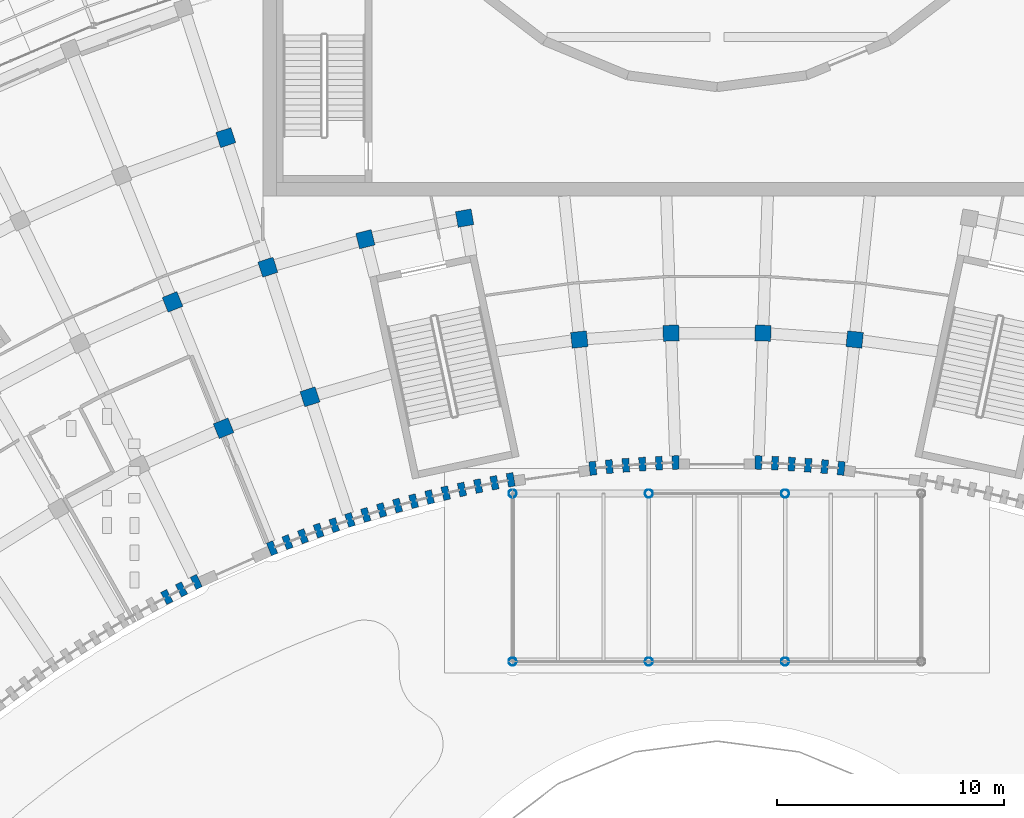
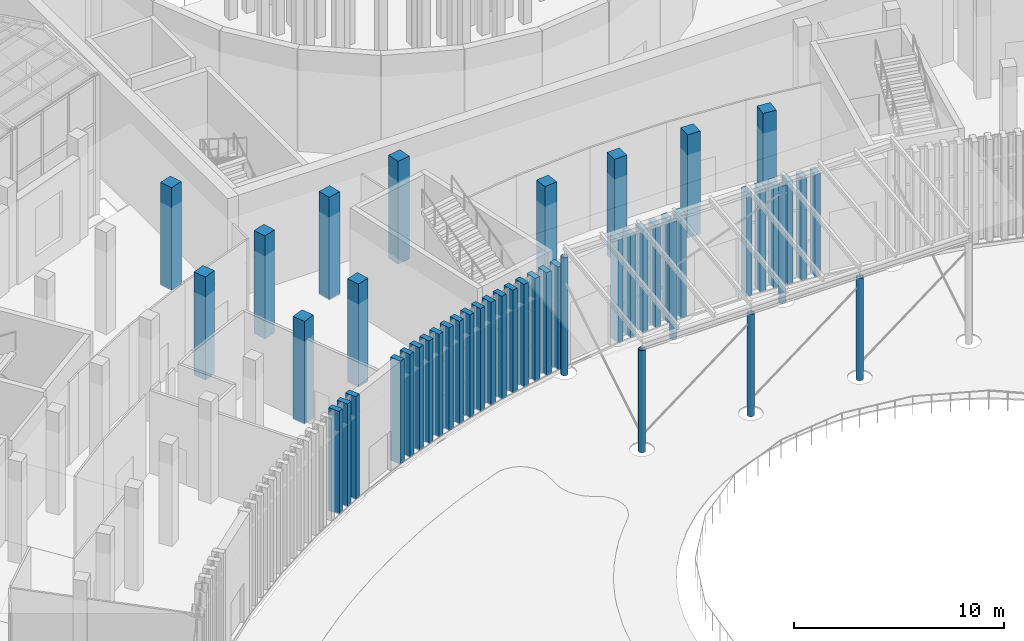
# One storey, part 4 of 155: 48 columns.
"""IFC4 building model written with IfcOpenShell, lengths in metres."""

from ifc_helpers import new_model, si_unit, direction, frame, origin, origin_2d, place, context, subcontext, project, spatial, rectangle, hollow_circle, extrude, material, material_profile, profile_set, type_object, element, save


model = new_model("IFC4")

# Units and contexts
model_context = context("Model", 3, precision=1e-05, world=origin(), true_north=direction((0.0, 1.0)))
body_context = subcontext(model_context, "Body", "Model", "MODEL_VIEW")
ifc_project = project(units=[si_unit("LENGTHUNIT", "METRE"), si_unit("AREAUNIT", "SQUARE_METRE"), si_unit("VOLUMEUNIT", "CUBIC_METRE"), si_unit("PLANEANGLEUNIT", "RADIAN"), si_unit("MASSUNIT", "GRAM", prefix="KILO")], contexts=[model_context])

# Site, building, storey
site_placement = place(None, origin())
site = spatial("IfcSite", under=ifc_project, at=site_placement, CompositionType="ELEMENT")
building_placement = place(site_placement, origin())
building = spatial("IfcBuilding", under=site, at=building_placement, Name="Lunette Opera House", CompositionType="ELEMENT")
storey_placement = place(building_placement, origin())
storey = spatial("IfcBuildingStorey", under=building, at=storey_placement, Name="L00", CompositionType="ELEMENT", Elevation=0.0)

# Columns
ifc_material_1 = material(Name="Concrete C40/50", Category="concrete")
ifc_material_profile_1 = material_profile(ifc_material_1, rectangle(XDim=0.300048828125, YDim=0.60009765625, at=origin_2d()), Name="PIER 300X600")
ifc_profile_set_1 = profile_set([ifc_material_profile_1], Name="Concrete C40/50")
column_type_1 = type_object("IfcColumnType", Name="PIER 300X600", PredefinedType="COLUMN", material=ifc_profile_set_1)
for number, where, z_axis, x_axis, name in (
    (1, (71.77001953125, 46.347900390625, 0.0), (0.0, 0.0, 1.0), (0.886203579231, 0.46329603512, 0.0), "col-FC-L00-P020"),
    (2, (72.4189453125, 46.681884765625, 0.0), (0.0, 0.0, 1.0), (0.892585818452, 0.450877540689, 0.0), "col-FC-L00-P021"),
    (3, (73.072998046875, 47.007080078125, 0.0), (0.0, 0.0, 1.0), (0.898794046299, 0.438371146789, 0.0), "col-FC-L00-P022"),
    (4, (76.407958984375, 48.491943359375, 0.0), (0.0, 0.0, 1.0), (0.927183854567, 0.374606593416, 0.0), "col-FC-L00-P023"),
    (5, (77.0869140625, 48.760986328125, 0.0), (0.0, 0.0, 1.0), (0.932323801216, 0.361624570082, 0.0), "col-FC-L00-P024"),
    (6, (77.77001953125, 49.02001953125, 0.0), (0.0, 0.0, 1.0), (0.937281989492, 0.348572047322, 0.0), "col-FC-L00-P025"),
    (7, (78.4560546875, 49.27001953125, 0.0), (0.0, 0.0, 1.0), (0.942057452787, 0.33545156975, 0.0), "col-FC-L00-P026"),
    (8, (79.14599609375, 49.510009765625, 0.0), (0.0, 0.0, 1.0), (0.946649260116, 0.322265695231, 0.0), "col-FC-L00-P027"),
    (9, (79.837890625, 49.739990234375, 0.0), (0.0, 0.0, 1.0), (0.951056516295, 0.309016994375, 0.0), "col-FC-L00-P028"),
    (10, (80.533935546875, 49.9609375, 0.0), (0.0, 0.0, 1.0), (0.955278362122, 0.295708050044, 0.0), "col-FC-L00-P029"),
    (11, (81.23388671875, 50.172119140625, 0.0), (0.0, 0.0, 1.0), (0.95931397454, 0.282341456843, 0.0), "col-FC-L00-P030"),
    (12, (81.93505859375, 50.373046875, 0.0), (0.0, 0.0, 1.0), (0.963162566798, 0.268919820615, 0.0), "col-FC-L00-P031"),
    (13, (82.639892578125, 50.56494140625, 0.0), (0.0, 0.0, 1.0), (0.966823388604, 0.255445757936, 0.0), "col-FC-L00-P032"),
    (14, (83.346923828125, 50.74609375, 0.0), (0.0, 0.0, 1.0), (0.970295726276, 0.2419218956, 0.0), "col-FC-L00-P033"),
    (15, (84.056884765625, 50.91796875, 0.0), (0.0, 0.0, 1.0), (0.973578902873, 0.228350870111, 0.0), "col-FC-L00-P034"),
    (16, (84.76904296875, 51.080078125, 0.0), (0.0, 0.0, 1.0), (0.976672278334, 0.214735327167, 0.0), "col-FC-L00-P035"),
    (17, (85.48388671875, 51.23193359375, 0.0), (0.0, 0.0, 1.0), (0.979575249599, 0.201077921146, 0.0), "col-FC-L00-P036"),
    (18, (86.199951171875, 51.3740234375, 0.0), (0.0, 0.0, 1.0), (0.982287250729, 0.187381314586, 0.0), "col-FC-L00-P037"),
    (19, (86.91796875, 51.5048828125, 0.0), (0.0, 0.0, 1.0), (0.984807753012, 0.173648177667, 0.0), "col-FC-L00-P038"),
    (20, (90.532958984375, 52.012939453125, 0.0), (0.0, 0.0, 1.0), (0.994521895368, 0.104528463268, 0.0), "col-FC-L00-P039"),
    (21, (91.260009765625, 52.0849609375, 0.0), (0.0, 0.0, 1.0), (0.995884398616, 0.090632580198, 0.0), "col-FC-L00-P040"),
    (22, (91.988037109375, 52.14599609375, 0.0), (0.0, 0.0, 1.0), (0.997052752227, 0.076719028127, 0.0), "col-FC-L00-P041"),
    (23, (92.716064453125, 52.197021484375, 0.0), (0.0, 0.0, 1.0), (0.998026728428, 0.062790519529, 0.0), "col-FC-L00-P042"),
    (24, (93.445068359375, 52.238037109375, 0.0), (0.0, 0.0, 1.0), (0.998806137341, 0.048849769796, 0.0), "col-FC-L00-P043"),
    (25, (94.175048828125, 52.26806640625, 0.0), (0.0, 0.0, 1.0), (0.999390827019, 0.034899496703, 0.0), "col-FC-L00-P044"),
    (26, (97.824951171875, 52.26806640625, 0.0), (0.0, 0.0, 1.0), (0.999390827019, -0.034899496703, 0.0), "col-FC-L00-P045"),
    (27, (98.554931640625, 52.238037109375, 0.0), (0.0, 0.0, 1.0), (0.998806137341, -0.048849769796, 0.0), "col-FC-L00-P046"),
    (28, (99.283935546875, 52.197021484375, 0.0), (0.0, 0.0, 1.0), (0.998026728428, -0.062790519529, 0.0), "col-FC-L00-P047"),
    (29, (100.011962890625, 52.14599609375, 0.0), (0.0, 0.0, 1.0), (0.997052752227, -0.076719028127, 0.0), "col-FC-L00-P048"),
    (30, (100.739990234375, 52.0849609375, 0.0), (0.0, 0.0, 1.0), (0.995884398616, -0.090632580198, 0.0), "col-FC-L00-P049"),
    (31, (101.467041015625, 52.012939453125, 0.0), (0.0, 0.0, 1.0), (0.994521895368, -0.104528463268, 0.0), "col-FC-L00-P050"),
):
    element("IfcColumn", number, at=place(storey_placement, frame(where, z_axis=z_axis, x_axis=x_axis)), inside=storey, type_object=column_type_1, Name=name, PredefinedType="COLUMN", context=body_context, shape_type="SweptSolid", body=[
        extrude(rectangle(XDim=0.300048828125, YDim=0.60009765625, at=origin_2d()), origin(), (0.0, 0.0, 1.0), 6.0),
    ])
ifc_material_2 = material(Name="Concrete C35/45", Category="concrete")
ifc_material_profile_2 = material_profile(ifc_material_2, rectangle(XDim=0.699951171875, YDim=0.699951171875, at=origin_2d()), Name="RC COLUMN 700X700")
ifc_profile_set_2 = profile_set([ifc_material_profile_2], Name="Concrete C35/45")
column_type_2 = type_object("IfcColumnType", Name="RC COLUMN 700X700", PredefinedType="COLUMN", material=ifc_profile_set_2)
for number, where, z_axis, x_axis, name in (
    (32, (74.27294921875, 53.777099609375, 0.0), (0.0, 0.0, 1.0), (0.927183854567, 0.374606593416, 0.0), "col-FC-L00-AR-M1-RL-08"),
    (33, (78.076904296875, 55.160888671875, 0.0), (0.0, 0.0, 1.0), (0.951056516295, 0.309016994375, 0.0), "col-FC-L00-AR-M1-RL-09"),
    (34, (89.93701171875, 57.681884765625, 0.0), (0.0, 0.0, 1.0), (0.994521895368, 0.104528463268, 0.0), "col-FC-L00-AR-M1-RL-12"),
    (35, (93.97607421875, 57.965087890625, 0.0), (0.0, 0.0, 1.0), (0.999390827019, 0.034899496703, 0.0), "col-FC-L00-AR-M1-RL-13"),
    (36, (98.02392578125, 57.965087890625, 0.0), (0.0, 0.0, 1.0), (0.999390827019, -0.034899496703, 0.0), "col-FC-L00-AR-M1-RL-14"),
    (37, (102.06298828125, 57.681884765625, 0.0), (0.0, 0.0, 1.0), (0.994521895368, -0.104528463268, 0.0), "col-FC-L00-AR-M1-RL-15"),
    (38, (72.02490234375, 59.340087890625, 0.0), (0.0, 0.0, 1.0), (0.927183854567, 0.374606593416, 0.0), "col-FC-L00-AR-B-RL-08"),
    (39, (76.222900390625, 60.867919921875, 0.0), (0.0, 0.0, 1.0), (0.951056516295, 0.309016994375, 0.0), "col-FC-L00-AR-B-RL-09"),
    (40, (80.51708984375, 62.09912109375, 0.0), (0.0, 0.0, 1.0), (0.970295726276, 0.2419218956, 0.0), "col-FC-L00-AR-B-RL-10"),
    (41, (84.886962890625, 63.028076171875, 0.0), (0.0, 0.0, 1.0), (0.984807753012, 0.173648177667, 0.0), "col-FC-L00-AR-B-RL-11"),
    (42, (74.368896484375, 66.573974609375, 0.0), (0.0, 0.0, 1.0), (0.951056516295, 0.309016994375, 0.0), "col-FC-L00-AR-M2-RL-09"),
):
    element("IfcColumn", number, at=place(storey_placement, frame(where, z_axis=z_axis, x_axis=x_axis)), inside=storey, type_object=column_type_2, Name=name, PredefinedType="COLUMN", context=body_context, shape_type="SweptSolid", body=[
        extrude(rectangle(XDim=0.699951171875, YDim=0.699951171875, at=origin_2d()), origin(), (0.0, 0.0, 1.0), 6.0),
    ])
ifc_material_3 = material(Name="Steel S355", Category="steel")
ifc_material_profile_3 = material_profile(ifc_material_3, hollow_circle(Radius=0.177734375, WallThickness=0.012451171875, at=origin_2d()), Name="CHS 355.6X12.5")
ifc_profile_set_3 = profile_set([ifc_material_profile_3], Name="Steel S355")
column_type_3 = type_object("IfcColumnType", Name="STEEL COLUMN CHS 355.6X12.5", PredefinedType="COLUMN", material=ifc_profile_set_3)
for number, where, z_axis, x_axis, name in (
    (43, (87.0, 43.5, -0.10009765625), (0.0, 0.0, 1.0), (1.0, 0.0, 0.0), "col-EC-L00-C1"),
    (44, (93.0, 43.5, -0.10009765625), (0.0, 0.0, 1.0), (1.0, 0.0, 0.0), "col-EC-L00-C2"),
    (45, (99.0, 43.5, -0.10009765625), (0.0, 0.0, 1.0), (1.0, 0.0, 0.0), "col-EC-L00-C3"),
):
    element("IfcColumn", number, at=place(storey_placement, frame(where, z_axis=z_axis, x_axis=x_axis)), inside=storey, type_object=column_type_3, Name=name, PredefinedType="COLUMN", context=body_context, shape_type="SweptSolid", body=[
        extrude(hollow_circle(Radius=0.177734375, WallThickness=0.012451171875, at=origin_2d()), origin(), (0.0, 0.0, 1.0), 5.961181640625),
    ])
for number, where, z_axis, x_axis, name in (
    (46, (87.0, 50.89990234375, -0.10009765625), (0.0, 0.0, 1.0), (1.0, 0.0, 0.0), "col-EC-L00-C5"),
    (47, (93.0, 50.89990234375, -0.10009765625), (0.0, 0.0, 1.0), (1.0, 0.0, 0.0), "col-EC-L00-C6"),
    (48, (99.0, 50.89990234375, -0.10009765625), (0.0, 0.0, 1.0), (1.0, 0.0, 0.0), "col-EC-L00-C7"),
):
    element("IfcColumn", number, at=place(storey_placement, frame(where, z_axis=z_axis, x_axis=x_axis)), inside=storey, type_object=column_type_3, Name=name, PredefinedType="COLUMN", context=body_context, shape_type="SweptSolid", body=[
        extrude(hollow_circle(Radius=0.177734375, WallThickness=0.012451171875, at=origin_2d()), origin(), (0.0, 0.0, 1.0), 6.8662109375),
    ])

save(model, "model.ifc")
